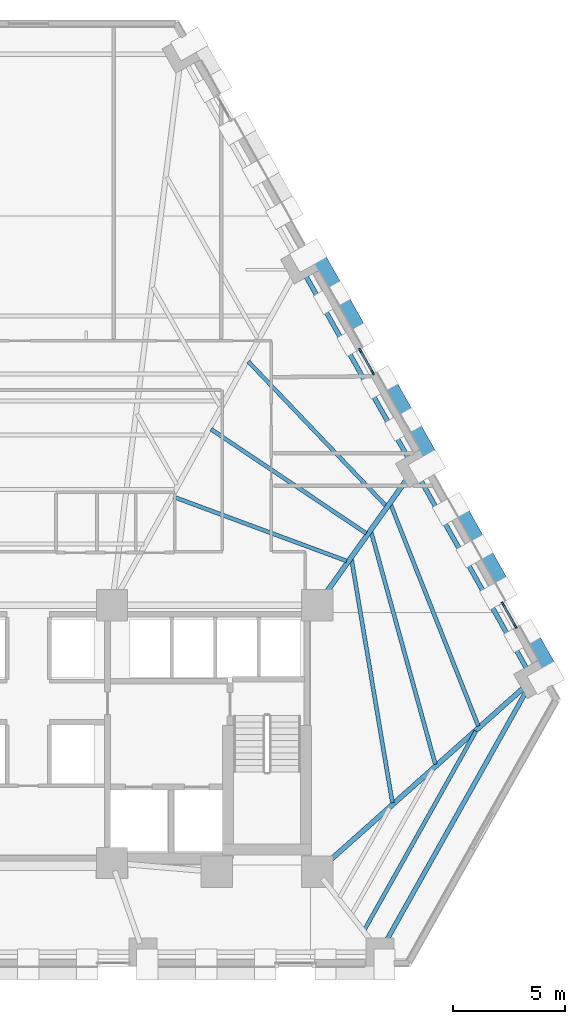
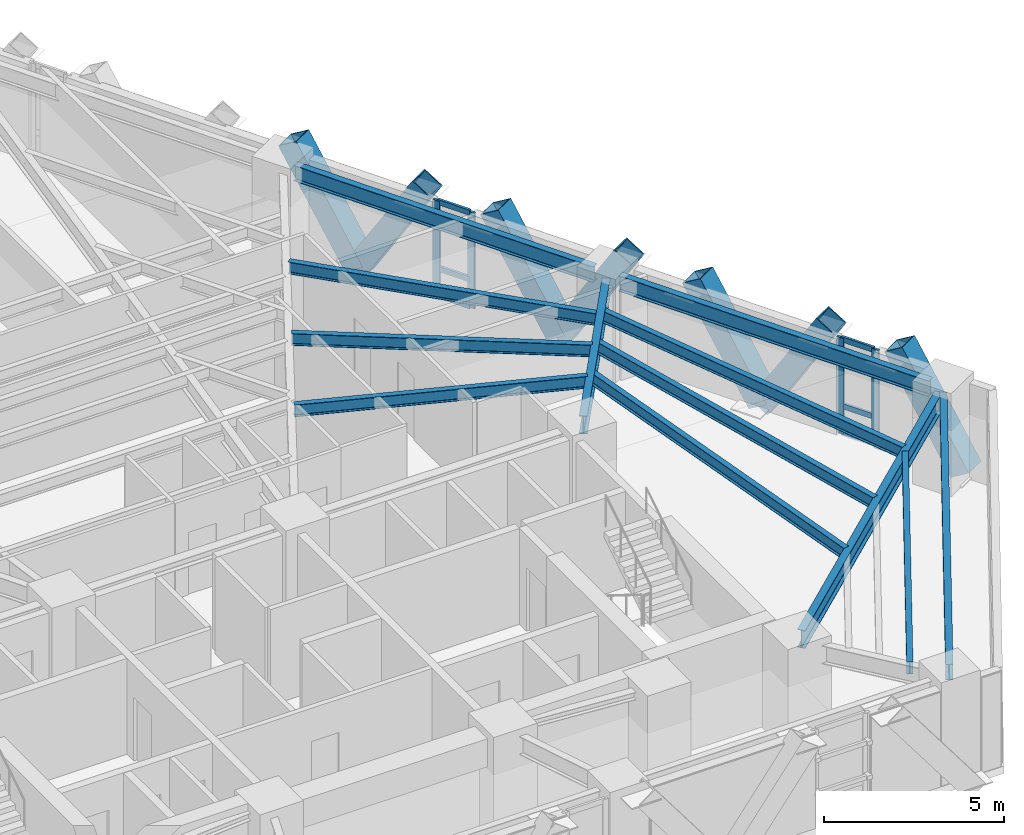
# One storey, part 4 of 13: 17 members, 12 beams, 2 elements without a shape of their own.
"""IFC4 building model written with IfcOpenShell, lengths in metres."""

from ifc_helpers import new_model, si_unit, direction, frame, origin, origin_2d, place, context, subcontext, project, spatial, rectangle, hollow_rectangle, i_section, extrude, material, material_profile, profile_set, type_object, element, aggregate, save


model = new_model("IFC4")

# Units and contexts
model_context = context("Model", 3, precision=1e-05, world=origin(), true_north=direction((0.0, 1.0)))
body_context = subcontext(model_context, "Body", "Model", "MODEL_VIEW")
ifc_project = project(units=[si_unit("LENGTHUNIT", "METRE"), si_unit("AREAUNIT", "SQUARE_METRE"), si_unit("VOLUMEUNIT", "CUBIC_METRE"), si_unit("PLANEANGLEUNIT", "RADIAN"), si_unit("MASSUNIT", "GRAM", prefix="KILO")], contexts=[model_context])

# Site, building, storey
site_placement = place(None, origin())
site = spatial("IfcSite", under=ifc_project, at=site_placement, CompositionType="ELEMENT")
building_placement = place(site_placement, origin())
building = spatial("IfcBuilding", under=site, at=building_placement, Name="Quenlor Broadcast Tower", CompositionType="ELEMENT")
storey_placement = place(building_placement, frame((0.0, 0.0, 69.60009765625)))
storey = spatial("IfcBuildingStorey", under=building, at=storey_placement, Name="L18", CompositionType="ELEMENT", Elevation=69.60009765625)

# Curtain wall, members
ifc_material_1 = material(Name="Architectural Terracotta and Low-E Glazing", Category="masonry")
curtain_wall_type = type_object("IfcCurtainWallType", Name="Unitised Terracotta Curtain Wall System Z1", PredefinedType="NOTDEFINED", material=ifc_material_1)
curtain_wall_1_placement = place(storey_placement, origin())
curtain_wall_1 = element("IfcCurtainWall", 1, at=curtain_wall_1_placement, inside=storey, type_object=curtain_wall_type, Name="L18 Curtain Wall CW1 (L18-NEC-G1)", PredefinedType="NOTDEFINED")
ifc_material_2 = material(Name="Aluminium 6063-T6", Category="aluminium")
ifc_material_profile_1 = material_profile(ifc_material_2, rectangle(XDim=0.080078125, YDim=0.219970703125, at=origin_2d()))
ifc_profile_set_1 = profile_set([ifc_material_profile_1], Name="Aluminium 6063-T6 MULL80x220")
member_type_1 = type_object("IfcMemberType", Name="CW1 Aluminium Mullion MULL_CW1", PredefinedType="MULLION", material=ifc_profile_set_1)
member_1_placement = place(storey_placement, frame((21.277099609375, -4.75244140625, 0.0), z_axis=(0.0, 0.0, 1.0), x_axis=(0.871566703483, 0.490276943553, 0.0)))
member_1 = element("IfcMember", 2, at=member_1_placement, type_object=member_type_1, Name="CW1 mullion 1", PredefinedType="MULLION", context=body_context, shape_type="SweptSolid", body=[
    extrude(rectangle(XDim=0.080078125, YDim=0.219970703125, at=origin_2d()), origin(), (0.0, 0.0, 1.0), 3.25),
])
member_2_placement = place(storey_placement, frame((21.830810546875, -5.73681640625, 0.0), z_axis=(0.0, 0.0, 1.0), x_axis=(0.871566703483, 0.490276943553, 0.0)))
member_2 = element("IfcMember", 3, at=member_2_placement, type_object=member_type_1, Name="CW1 mullion 2", PredefinedType="MULLION", context=body_context, shape_type="SweptSolid", body=[
    extrude(rectangle(XDim=0.080078125, YDim=0.219970703125, at=origin_2d()), origin(), (0.0, 0.0, 1.0), 3.25),
])

curtain_wall_2_placement = place(storey_placement, origin())
curtain_wall_2 = element("IfcCurtainWall", 4, at=curtain_wall_2_placement, inside=storey, type_object=curtain_wall_type, Name="L18 Curtain Wall CW1 (L18-NE-G1)", PredefinedType="NOTDEFINED")
member_3_placement = place(storey_placement, frame((14.8837890625, 6.61376953125, 0.0), z_axis=(0.0, 0.0, 1.0), x_axis=(0.871566703483, 0.490276943553, 0.0)))
member_3 = element("IfcMember", 5, at=member_3_placement, type_object=member_type_1, Name="CW1 mullion 1", PredefinedType="MULLION", context=body_context, shape_type="SweptSolid", body=[
    extrude(rectangle(XDim=0.080078125, YDim=0.219970703125, at=origin_2d()), origin(), (0.0, 0.0, 1.0), 3.25),
])
member_4_placement = place(storey_placement, frame((15.4375, 5.62939453125, 0.0), z_axis=(0.0, 0.0, 1.0), x_axis=(0.871566703483, 0.490276943553, 0.0)))
member_4 = element("IfcMember", 6, at=member_4_placement, type_object=member_type_1, Name="CW1 mullion 2", PredefinedType="MULLION", context=body_context, shape_type="SweptSolid", body=[
    extrude(rectangle(XDim=0.080078125, YDim=0.219970703125, at=origin_2d()), origin(), (0.0, 0.0, 1.0), 3.25),
])

# Member
ifc_material_3 = material(Name="Aluminium 6063-T6", Category="aluminium")
ifc_material_profile_2 = material_profile(ifc_material_3, rectangle(XDim=0.080078125, YDim=0.179931640625, at=origin_2d()))
ifc_profile_set_2 = profile_set([ifc_material_profile_2], Name="Aluminium 6063-T6 TRAN80x180")
member_type_2 = type_object("IfcMemberType", Name="CW1 Aluminium Transom TRAN_CW1", PredefinedType="USERDEFINED", material=ifc_profile_set_2)
member_5_placement = place(storey_placement, frame((21.296875, -4.787353515625, 0.039794921875), z_axis=(0.490239146026, -0.87158796441, 0.0), x_axis=(0.87158796441, 0.490239146026, 0.0)))
member_5 = element("IfcMember", 7, at=member_5_placement, type_object=member_type_2, Name="CW1 transom 1.1", ObjectType="TRANSOM", PredefinedType="USERDEFINED", context=body_context, shape_type="SweptSolid", body=[
    extrude(rectangle(XDim=0.080078125, YDim=0.179931640625, at=origin_2d()), origin(), (0.0, 0.0, 1.0), 1.04931640625),
])

member_6_placement = place(storey_placement, frame((21.296875, -4.787353515625, 0.949951171875), z_axis=(0.490239146026, -0.87158796441, 0.0), x_axis=(0.87158796441, 0.490239146026, 0.0)))
member_6 = element("IfcMember", 8, at=member_6_placement, type_object=member_type_2, Name="CW1 transom 1.2", ObjectType="TRANSOM", PredefinedType="USERDEFINED", context=body_context, shape_type="SweptSolid", body=[
    extrude(rectangle(XDim=0.080078125, YDim=0.179931640625, at=origin_2d()), origin(), (0.0, 0.0, 1.0), 1.04931640625),
])

member_7_placement = place(storey_placement, frame((21.296875, -4.787353515625, 3.2099609375), z_axis=(0.490239146026, -0.87158796441, 0.0), x_axis=(0.87158796441, 0.490239146026, 0.0)))
member_7 = element("IfcMember", 9, at=member_7_placement, type_object=member_type_2, Name="CW1 transom 1.3", ObjectType="TRANSOM", PredefinedType="USERDEFINED", context=body_context, shape_type="SweptSolid", body=[
    extrude(rectangle(XDim=0.080078125, YDim=0.179931640625, at=origin_2d()), origin(), (0.0, 0.0, 1.0), 1.04931640625),
])

aggregate(curtain_wall_1, [member_1, member_2, member_5, member_6, member_7])

member_8_placement = place(storey_placement, frame((14.9033203125, 6.578857421875, 0.039794921875), z_axis=(0.490239146026, -0.87158796441, 0.0), x_axis=(0.87158796441, 0.490239146026, 0.0)))
member_8 = element("IfcMember", 10, at=member_8_placement, type_object=member_type_2, Name="CW1 transom 1.1", ObjectType="TRANSOM", PredefinedType="USERDEFINED", context=body_context, shape_type="SweptSolid", body=[
    extrude(rectangle(XDim=0.080078125, YDim=0.179931640625, at=origin_2d()), origin(), (0.0, 0.0, 1.0), 1.04931640625),
])

member_9_placement = place(storey_placement, frame((14.9033203125, 6.578857421875, 0.949951171875), z_axis=(0.490239146026, -0.87158796441, 0.0), x_axis=(0.87158796441, 0.490239146026, 0.0)))
member_9 = element("IfcMember", 11, at=member_9_placement, type_object=member_type_2, Name="CW1 transom 1.2", ObjectType="TRANSOM", PredefinedType="USERDEFINED", context=body_context, shape_type="SweptSolid", body=[
    extrude(rectangle(XDim=0.080078125, YDim=0.179931640625, at=origin_2d()), origin(), (0.0, 0.0, 1.0), 1.04931640625),
])

member_10_placement = place(storey_placement, frame((14.9033203125, 6.578857421875, 3.2099609375), z_axis=(0.490239146026, -0.87158796441, 0.0), x_axis=(0.87158796441, 0.490239146026, 0.0)))
member_10 = element("IfcMember", 12, at=member_10_placement, type_object=member_type_2, Name="CW1 transom 1.3", ObjectType="TRANSOM", PredefinedType="USERDEFINED", context=body_context, shape_type="SweptSolid", body=[
    extrude(rectangle(XDim=0.080078125, YDim=0.179931640625, at=origin_2d()), origin(), (0.0, 0.0, 1.0), 1.04931640625),
])

aggregate(curtain_wall_2, [member_3, member_4, member_8, member_9, member_10])

# Members
ifc_material_4 = material(Name="Steel S355", Category="steel")
ifc_material_profile_3 = material_profile(ifc_material_4, hollow_rectangle(XDim=0.679931640625, YDim=0.679931640625, WallThickness=0.034912109375, at=origin_2d()))
ifc_profile_set_3 = profile_set([ifc_material_profile_3], Name="Steel S355 RHS680x680x35")
member_type_3 = type_object("IfcMemberType", Name="Perimeter Diagonal Lattice Brace Z1 Steel S355 RHS680x35", PredefinedType="BRACE", material=ifc_profile_set_3)
member_11_placement = place(storey_placement, frame((13.89990234375, 9.168212890625, -0.1201171875), z_axis=(-0.256375341489, 0.45579159737, 0.852364771705), x_axis=(-0.871581609758, -0.490250443683, 0.0)))
element("IfcMember", 13, at=member_11_placement, inside=storey, type_object=member_type_3, Name="L18 Perimeter Diamond Lattice NE-C2B", PredefinedType="BRACE", context=body_context, shape_type="SweptSolid", body=[
    extrude(hollow_rectangle(XDim=0.679931640625, YDim=0.679931640625, WallThickness=0.034912109375, at=origin_2d()), origin(), (0.0, 0.0, 1.0), 4.106201171875),
])
member_12_placement = place(storey_placement, frame((13.912841796875, 9.1455078125, -0.1201171875), z_axis=(0.256368393635, -0.455838699906, 0.852341672343), x_axis=(0.871608931644, 0.490201866865, 0.0)))
element("IfcMember", 14, at=member_12_placement, inside=storey, type_object=member_type_3, Name="L18 Perimeter Diamond Lattice NE-C3S", PredefinedType="BRACE", context=body_context, shape_type="SweptSolid", body=[
    extrude(hollow_rectangle(XDim=0.679931640625, YDim=0.679931640625, WallThickness=0.034912109375, at=origin_2d()), origin(), (0.0, 0.0, 1.0), 4.1064453125),
])
for number, where, z_axis, x_axis, name in (
    (15, (17.0966796875, 3.485107421875, -0.1201171875), (-0.256375341489, 0.45579159737, 0.852364771705), (-0.871581609758, -0.490250443683, 0.0), "L18 Perimeter Diamond Lattice NE-C3B"),
    (16, (17.109619140625, 3.46240234375, -0.1201171875), (0.256375341489, -0.45579159737, 0.852364771705), (0.871581609758, 0.490250443683, 0.0), "L18 Perimeter Diamond Lattice NE-C4S"),
    (17, (20.29345703125, -2.197998046875, -0.1201171875), (-0.256375341489, 0.45579159737, 0.852364771705), (-0.871581609758, -0.490250443683, 0.0), "L18 Perimeter Diamond Lattice NE-C4B"),
    (18, (20.306396484375, -2.220947265625, -0.1201171875), (0.256375341489, -0.45579159737, 0.852364771705), (0.871581609758, 0.490250443683, 0.0), "L18 Perimeter Diamond Lattice NE-C5S"),
):
    element("IfcMember", number, at=place(storey_placement, frame(where, z_axis=z_axis, x_axis=x_axis)), inside=storey, type_object=member_type_3, Name=name, PredefinedType="BRACE", context=body_context, shape_type="SweptSolid", body=[
        extrude(hollow_rectangle(XDim=0.679931640625, YDim=0.679931640625, WallThickness=0.034912109375, at=origin_2d()), origin(), (0.0, 0.0, 1.0), 4.106201171875),
    ])
member_13_placement = place(storey_placement, frame((23.490234375, -7.88134765625, -0.1201171875), z_axis=(-0.256368393635, 0.455838699906, 0.852341672343), x_axis=(-0.871608931644, -0.490201866865, 0.0)))
element("IfcMember", 19, at=member_13_placement, inside=storey, type_object=member_type_3, Name="L18 Perimeter Diamond Lattice NE-C5B", PredefinedType="BRACE", context=body_context, shape_type="SweptSolid", body=[
    extrude(hollow_rectangle(XDim=0.679931640625, YDim=0.679931640625, WallThickness=0.034912109375, at=origin_2d()), origin(), (0.0, 0.0, 1.0), 4.1064453125),
])

# Beams
ifc_material_5 = material(Name="Steel S355", Category="steel")
ifc_material_profile_4 = material_profile(ifc_material_5, i_section(OverallWidth=0.208984375, OverallDepth=0.532958984375, WebThickness=0.01025390625, FlangeThickness=0.015625, FilletRadius=0.013916015625, at=origin_2d()))
ifc_profile_set_4 = profile_set([ifc_material_profile_4], Name="Steel S355 530UB92.4")
beam_type_1 = type_object("IfcBeamType", Name="Perimeter Spandrel Beam Z1 Steel S355 530UB92.4", PredefinedType="SPANDREL", material=ifc_profile_set_4)
beam_1_placement = place(storey_placement, frame((15.965576171875, -19.992431640625, 2.9833984375), z_axis=(0.489090917871, 0.87223280955, 0.0), x_axis=(-0.87223280955, 0.489090917871, 0.0)))
element("IfcBeam", 20, at=beam_1_placement, inside=storey, type_object=beam_type_1, Name="L18 Spandrel Beam S4-NE1", PredefinedType="SPANDREL", context=body_context, shape_type="SweptSolid", body=[
    extrude(i_section(OverallWidth=0.208984375, OverallDepth=0.532958984375, WebThickness=0.01025390625, FlangeThickness=0.015625, FilletRadius=0.013916015625, at=origin_2d()), origin(), (0.0, 0.0, 1.0), 13.187744140625),
])
beam_2_placement = place(storey_placement, frame((22.4150390625, -7.77490234375, 2.9833984375), z_axis=(-0.490257767622, 0.871577490121, 0.0), x_axis=(-0.871577490121, -0.490257767622, 0.0)))
element("IfcBeam", 21, at=beam_2_placement, inside=storey, type_object=beam_type_1, Name="L18 Spandrel Beam NE1-NE2", PredefinedType="SPANDREL", context=body_context, shape_type="SweptSolid", body=[
    extrude(i_section(OverallWidth=0.208984375, OverallDepth=0.532958984375, WebThickness=0.01025390625, FlangeThickness=0.015625, FilletRadius=0.013916015625, at=origin_2d()), origin(), (0.0, 0.0, 1.0), 10.015380859375),
])
beam_3_placement = place(storey_placement, frame((17.102783203125, 1.6689453125, 2.9833984375), z_axis=(-0.490257642051, 0.871577560755, 0.0), x_axis=(-0.871577560755, -0.490257642051, 0.0)))
element("IfcBeam", 22, at=beam_3_placement, inside=storey, type_object=beam_type_1, Name="L18 Spandrel Beam NE2-NE3", PredefinedType="SPANDREL", context=body_context, shape_type="SweptSolid", body=[
    extrude(i_section(OverallWidth=0.208984375, OverallDepth=0.532958984375, WebThickness=0.01025390625, FlangeThickness=0.015625, FilletRadius=0.013916015625, at=origin_2d()), origin(), (0.0, 0.0, 1.0), 9.665771484375),
])
ifc_material_6 = material(Name="Steel S355", Category="steel")
ifc_material_profile_5 = material_profile(ifc_material_6, i_section(OverallWidth=0.177978515625, OverallDepth=0.406494140625, WebThickness=0.0078125, FlangeThickness=0.0126953125, FilletRadius=0.011474609375, at=origin_2d()))
ifc_profile_set_5 = profile_set([ifc_material_profile_5], Name="Steel S355 410UB59.7")
beam_type_2 = type_object("IfcBeamType", Name="Tower Composite Joist Z1 Steel S355 410UB59.7", PredefinedType="JOIST", material=ifc_profile_set_5)
beam_4_placement = place(storey_placement, frame((14.268310546875, -2.81640625, 3.046630859375), z_axis=(-0.937824633945, 0.347109429383, 0.0), x_axis=(-0.347109429383, -0.937824633945, 0.0)))
element("IfcBeam", 23, at=beam_4_placement, inside=storey, type_object=beam_type_2, Name="L18 Secondary Composite Joist 10", PredefinedType="JOIST", context=body_context, shape_type="SweptSolid", body=[
    extrude(i_section(OverallWidth=0.177978515625, OverallDepth=0.406494140625, WebThickness=0.0078125, FlangeThickness=0.0126953125, FilletRadius=0.011474609375, at=origin_2d()), origin(), (0.0, 0.0, 1.0), 8.26513671875),
])
beam_5_placement = place(storey_placement, frame((15.147705078125, -1.577392578125, 3.046630859375), z_axis=(-0.830625844363, 0.556830949819, 0.0), x_axis=(-0.556830949819, -0.830625844363, 0.0)))
element("IfcBeam", 24, at=beam_5_placement, inside=storey, type_object=beam_type_2, Name="L18 Secondary Composite Joist 11", PredefinedType="JOIST", context=body_context, shape_type="SweptSolid", body=[
    extrude(i_section(OverallWidth=0.177978515625, OverallDepth=0.406494140625, WebThickness=0.0078125, FlangeThickness=0.0126953125, FilletRadius=0.011474609375, at=origin_2d()), origin(), (0.0, 0.0, 1.0), 8.374755859375),
])
beam_6_placement = place(storey_placement, frame((16.029541015625, -0.341796875, 3.046630859375), z_axis=(-0.690241086162, 0.723579465556, 0.0), x_axis=(-0.723579465556, -0.690241086162, 0.0)))
element("IfcBeam", 25, at=beam_6_placement, inside=storey, type_object=beam_type_2, Name="L18 Secondary Composite Joist 12", PredefinedType="JOIST", context=body_context, shape_type="SweptSolid", body=[
    extrude(i_section(OverallWidth=0.177978515625, OverallDepth=0.406494140625, WebThickness=0.0078125, FlangeThickness=0.0126953125, FilletRadius=0.011474609375, at=origin_2d()), origin(), (0.0, 0.0, 1.0), 8.93408203125),
])
beam_7_placement = place(storey_placement, frame((16.31982421875, -13.65478515625, 3.046630859375), z_axis=(-0.16559360599, 0.986194077074, 0.0), x_axis=(-0.986194077074, -0.16559360599, 0.0)))
element("IfcBeam", 26, at=beam_7_placement, inside=storey, type_object=beam_type_2, Name="L18 Secondary Composite Joist 16", PredefinedType="JOIST", context=body_context, shape_type="SweptSolid", body=[
    extrude(i_section(OverallWidth=0.177978515625, OverallDepth=0.406494140625, WebThickness=0.0078125, FlangeThickness=0.0126953125, FilletRadius=0.011474609375, at=origin_2d()), origin(), (0.0, 0.0, 1.0), 11.06787109375),
])
beam_8_placement = place(storey_placement, frame((18.2451171875, -11.93310546875, 3.046630859375), z_axis=(-0.266390054368, 0.963865311615, 0.0), x_axis=(-0.963865311615, -0.266390054368, 0.0)))
element("IfcBeam", 27, at=beam_8_placement, inside=storey, type_object=beam_type_2, Name="L18 Secondary Composite Joist 17", PredefinedType="JOIST", context=body_context, shape_type="SweptSolid", body=[
    extrude(i_section(OverallWidth=0.177978515625, OverallDepth=0.406494140625, WebThickness=0.0078125, FlangeThickness=0.0126953125, FilletRadius=0.011474609375, at=origin_2d()), origin(), (0.0, 0.0, 1.0), 10.80810546875),
])
beam_9_placement = place(storey_placement, frame((20.170166015625, -10.212158203125, 3.046630859375), z_axis=(-0.367884833597, 0.929871361646, 0.0), x_axis=(-0.929871361646, -0.367884833597, 0.0)))
element("IfcBeam", 28, at=beam_9_placement, inside=storey, type_object=beam_type_2, Name="L18 Secondary Composite Joist 18", PredefinedType="JOIST", context=body_context, shape_type="SweptSolid", body=[
    extrude(i_section(OverallWidth=0.177978515625, OverallDepth=0.406494140625, WebThickness=0.0078125, FlangeThickness=0.0126953125, FilletRadius=0.011474609375, at=origin_2d()), origin(), (0.0, 0.0, 1.0), 10.669921875),
])
beam_10_placement = place(storey_placement, frame((15.072265625, -19.34423828125, 3.046630859375), z_axis=(0.489081877778, 0.872237878579, 0.0), x_axis=(-0.872237878579, 0.489081877778, 0.0)))
element("IfcBeam", 29, at=beam_10_placement, inside=storey, type_object=beam_type_2, Name="L18 Secondary Composite Joist 24", PredefinedType="JOIST", context=body_context, shape_type="SweptSolid", body=[
    extrude(i_section(OverallWidth=0.177978515625, OverallDepth=0.406494140625, WebThickness=0.0078125, FlangeThickness=0.0126953125, FilletRadius=0.011474609375, at=origin_2d()), origin(), (0.0, 0.0, 1.0), 10.205810546875),
])
ifc_material_7 = material(Name="Steel S355", Category="steel")
ifc_material_profile_6 = material_profile(ifc_material_7, i_section(OverallWidth=0.22900390625, OverallDepth=0.611572265625, WebThickness=0.011962890625, FlangeThickness=0.01953125, FilletRadius=0.013916015625, at=origin_2d()))
ifc_profile_set_6 = profile_set([ifc_material_profile_6], Name="Steel S355 610UB125")
beam_type_3 = type_object("IfcBeamType", Name="Tower Primary Floor Beam Z1 Steel S355 610UB125", PredefinedType="BEAM", material=ifc_profile_set_6)
beam_11_placement = place(storey_placement, frame((22.31005859375, -8.40478515625, 2.944091796875), z_axis=(-0.746413754585, -0.665482161268, 0.0), x_axis=(0.665482161268, -0.746413754585, 0.0)))
element("IfcBeam", 30, at=beam_11_placement, inside=storey, type_object=beam_type_3, Name="L18 Primary Radial Beam NE1", PredefinedType="BEAM", context=body_context, shape_type="SweptSolid", body=[
    extrude(i_section(OverallWidth=0.22900390625, OverallDepth=0.611572265625, WebThickness=0.011962890625, FlangeThickness=0.01953125, FilletRadius=0.013916015625, at=origin_2d()), origin(), (0.0, 0.0, 1.0), 12.159912109375),
])
beam_12_placement = place(storey_placement, frame((17.06591796875, 0.977783203125, 2.944091796875), z_axis=(-0.580212680853, -0.814465005373, 0.0), x_axis=(0.814465005373, -0.580212680853, 0.0)))
element("IfcBeam", 31, at=beam_12_placement, inside=storey, type_object=beam_type_3, Name="L18 Primary Radial Beam NE2", PredefinedType="BEAM", context=body_context, shape_type="SweptSolid", body=[
    extrude(i_section(OverallWidth=0.22900390625, OverallDepth=0.611572265625, WebThickness=0.011962890625, FlangeThickness=0.01953125, FilletRadius=0.013916015625, at=origin_2d()), origin(), (0.0, 0.0, 1.0), 6.7138671875),
])

save(model, "model.ifc")
